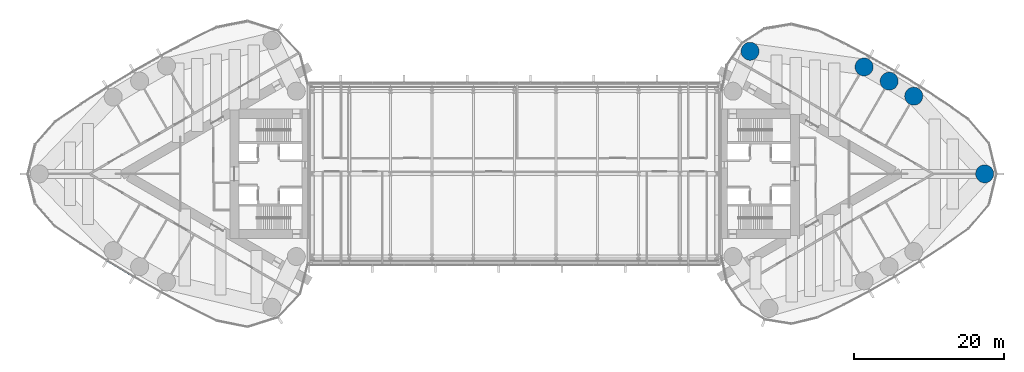
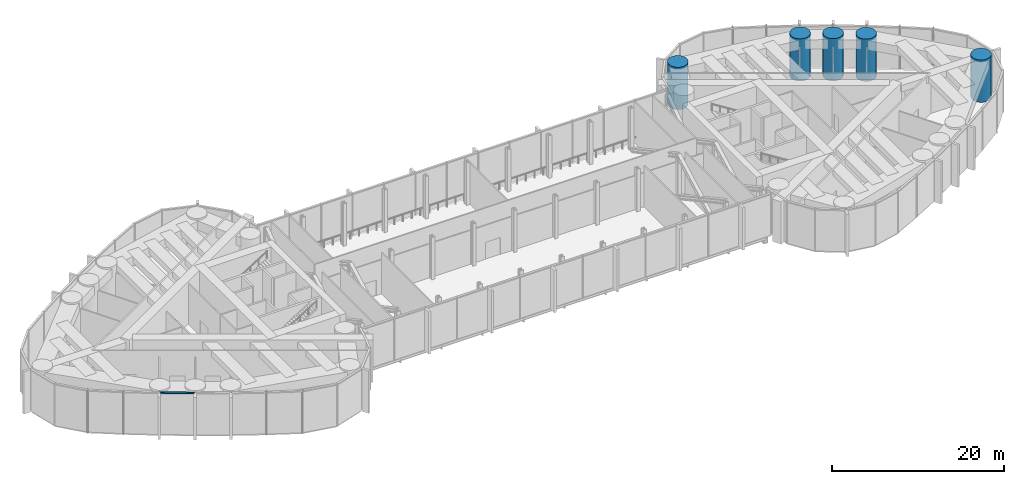
# One storey, part 2 of 21: 5 columns, 1 member, 1 element without a shape of its own.
"""IFC4 building model written with IfcOpenShell, lengths in metres."""

import ifcopenshell
import ifcopenshell.guid

model = None  # the IFC model being written
_history = None  # IfcOwnerHistory: only IFC2X3 demands one
_inside = {}  # id of a spatial element -> (the spatial element, [elements in it])
_under = {}  # id of a project, library or spatial element -> (it, [spatial elements below it])
_declared = {}  # id of a project -> (the project, [libraries it declares])
_typed = {}  # id of a type object -> (the type object, [elements of that type])
_made_of = {}  # id of a material, layer set ... -> (it, [elements and type objects made of it])


def new_model(schema):
    """Start an empty IFC model of exactly this schema.

    Asked for "IFC4X3", IfcOpenShell would pick the latest addendum, in which some entities
    have other attributes; the version numbers below select the first issue.
    IFC2X3 requires an IfcOwnerHistory on every rooted entity: one is made here for all.
    """
    global model, _history
    if schema == "IFC4X3":
        model = ifcopenshell.file(schema_version=(4, 3, 0, 0))
    else:
        model = ifcopenshell.file(schema=schema)
    _inside.clear()
    _under.clear()
    _declared.clear()
    _typed.clear()
    _made_of.clear()
    _history = None
    if model.schema == "IFC2X3":
        org = make("IfcOrganization", Name="unknown")
        user = make(
            "IfcPersonAndOrganization",
            ThePerson=make("IfcPerson", FamilyName="unknown"),
            TheOrganization=org,
        )
        app = make(
            "IfcApplication",
            ApplicationDeveloper=org,
            Version="unknown",
            ApplicationFullName="unknown",
            ApplicationIdentifier="unknown",
        )
        _history = make(
            "IfcOwnerHistory",
            OwningUser=user,
            OwningApplication=app,
            ChangeAction="ADDED",
            CreationDate=0,
        )
    return model


def make(cls, **values):
    """One entity of the class cls with the attributes given. An attribute that is None is left unset."""
    return model.create_entity(
        cls, **{name: value for name, value in values.items() if value is not None}
    )


def rooted(cls, **values):
    """An entity with a GlobalId (a new one), such as an element, a storey or a relation."""
    return make(cls, GlobalId=ifcopenshell.guid.new(), OwnerHistory=_history, **values)


def si_unit(unit_type, name, prefix=None):
    """IfcSIUnit, for example si_unit("LENGTHUNIT", "METRE", prefix="MILLI")."""
    return make("IfcSIUnit", UnitType=unit_type, Prefix=prefix, Name=name)


def assignment(units):
    """IfcUnitAssignment: the units of a project."""
    return None if units is None else make("IfcUnitAssignment", Units=units)


def point(xyz):
    """IfcCartesianPoint."""
    return None if xyz is None else make("IfcCartesianPoint", Coordinates=xyz)


def direction(xyz):
    """IfcDirection."""
    return None if xyz is None else make("IfcDirection", DirectionRatios=xyz)


def frame(location, z_axis=None, x_axis=None):
    """IfcAxis2Placement3D, a coordinate frame: its origin and axes. An axis left out is left unset."""
    return make(
        "IfcAxis2Placement3D",
        Location=point(location),
        Axis=direction(z_axis),
        RefDirection=direction(x_axis),
    )


def frame_2d(location, x_axis=None):
    """IfcAxis2Placement2D, a coordinate frame in the plane: its origin and x axis."""
    return make(
        "IfcAxis2Placement2D", Location=point(location), RefDirection=direction(x_axis)
    )


def origin():
    """The frame at (0, 0, 0) with its axes left unset."""
    return frame((0.0, 0.0, 0.0))


def origin_2d():
    """The frame at (0, 0) in the plane with its x axis left unset."""
    return frame_2d((0.0, 0.0))


def place(relative_to, where):
    """IfcLocalPlacement: puts the frame where relative to a parent placement (None: the world)."""
    return make(
        "IfcLocalPlacement", PlacementRelTo=relative_to, RelativePlacement=where
    )


def context(
    kind, dimensions, precision=None, world=None, true_north=None, identifier=None
):
    """IfcGeometricRepresentationContext, for example the 3D "Model" context."""
    return make(
        "IfcGeometricRepresentationContext",
        ContextIdentifier=identifier,
        ContextType=kind,
        CoordinateSpaceDimension=dimensions,
        Precision=precision,
        WorldCoordinateSystem=world,
        TrueNorth=true_north,
    )


def subcontext(parent, identifier, kind, view, scale=None):
    """IfcGeometricRepresentationSubContext, for example "Body" below "Model"."""
    return make(
        "IfcGeometricRepresentationSubContext",
        ContextIdentifier=identifier,
        ContextType=kind,
        ParentContext=parent,
        TargetScale=scale,
        TargetView=view,
    )


def project(units=None, contexts=None):
    """IfcProject with its units and contexts."""
    return rooted(
        "IfcProject",
        Name="project",
        RepresentationContexts=contexts,
        UnitsInContext=assignment(units),
    )


def spatial(cls, under=None, at=None, **own):
    """A site, building, storey or space (cls), placed at a placement, below another one or the project."""
    s = rooted(cls, ObjectPlacement=at, **own)
    if under is not None:
        _under.setdefault(under.id(), (under, []))[1].append(s)
    return s


def profile(cls, at=None, kind="AREA", **sizes):
    """A parametric profile (cls). Its sizes go by their IFC names, for example OverallWidth=200.0."""
    return make(cls, ProfileType=kind, Position=at, **sizes)


def rectangle(**sizes):
    """IfcRectangleProfileDef."""
    return profile("IfcRectangleProfileDef", **sizes)


def circle(**sizes):
    """IfcCircleProfileDef."""
    return profile("IfcCircleProfileDef", **sizes)


def extrude(swept, where, along, depth):
    """IfcExtrudedAreaSolid: the profile swept, set in the frame where, extruded along a direction by depth."""
    return make(
        "IfcExtrudedAreaSolid",
        SweptArea=swept,
        Position=where,
        ExtrudedDirection=direction(along),
        Depth=depth,
    )


def shape(context_of_items, identifier, shape_type, items):
    """IfcShapeRepresentation: the items that make up one representation, for example the "Body"."""
    return make(
        "IfcShapeRepresentation",
        ContextOfItems=context_of_items,
        RepresentationIdentifier=identifier,
        RepresentationType=shape_type,
        Items=items,
    )


def material(Name=None, Category=None):
    """IfcMaterial."""
    return make("IfcMaterial", Name=Name, Category=Category)


def material_profile(
    of_material, cross_section, Name=None, Category=None, Priority=None
):
    """IfcMaterialProfile: a cross section and its material."""
    return make(
        "IfcMaterialProfile",
        Name=Name,
        Material=of_material,
        Profile=cross_section,
        Priority=Priority,
        Category=Category,
    )


def profile_set(profiles, Name=None, composite=None):
    """IfcMaterialProfileSet."""
    return make(
        "IfcMaterialProfileSet",
        Name=Name,
        MaterialProfiles=profiles,
        CompositeProfile=composite,
    )


def made_of(thing, what):
    """Note that an element or type object is made of a material, layer set ...; save() writes the relation."""
    if what is not None:
        _made_of.setdefault(what.id(), (what, []))[1].append(thing)
    return thing


def type_object(cls, material=None, **own):
    """A type object (cls), such as IfcWallType, which elements share."""
    return made_of(rooted(cls, **own), material)


def element(
    cls,
    number,
    at=None,
    inside=None,
    cuts=None,
    type_object=None,
    material=None,
    context=None,
    identifier="Body",
    shape_type=None,
    held_by="IfcProductDefinitionShape",
    body=None,
    shapes=None,
    **own,
):
    """One element of the class cls, such as IfcWall. Its Tag is "e" and its number.

    at: its placement. inside: the storey or other place that contains it. cuts: it is an
    opening in that element (IfcRelVoidsElement). A single representation is given by context,
    identifier, shape_type and body (its items); several are given by shapes. held_by: the class
    of the entity that holds the representations. save() writes the other relations.
    """
    e = rooted(cls, Tag="e%d" % number, ObjectPlacement=at, **own)
    if body is not None:
        shapes = [shape(context, identifier, shape_type, body)]
    if shapes is not None:
        e.Representation = make(held_by, Representations=shapes)
    if inside is not None:
        _inside.setdefault(inside.id(), (inside, []))[1].append(e)
    if cuts is not None:
        rooted(
            "IfcRelVoidsElement", RelatingBuildingElement=cuts, RelatedOpeningElement=e
        )
    if type_object is not None:
        _typed.setdefault(type_object.id(), (type_object, []))[1].append(e)
    return made_of(e, material)


def aggregate(whole, parts):
    """IfcRelAggregates: a whole, such as a stair, and the parts it consists of."""
    return rooted("IfcRelAggregates", RelatingObject=whole, RelatedObjects=parts)


def save(model, path):
    """Write the relations noted so far, then the file.

    IfcRelAggregates (storeys below a building ...), IfcRelContainedInSpatialStructure (elements
    in a storey), IfcRelDefinesByType, IfcRelAssociatesMaterial and IfcRelDeclares: one each for
    every whole, place, type object, material and project.
    """
    for whole, parts in _under.values():
        aggregate(whole, parts)
    for where, things in _inside.values():
        rooted(
            "IfcRelContainedInSpatialStructure",
            RelatedElements=things,
            RelatingStructure=where,
        )
    for kind, things in _typed.values():
        rooted("IfcRelDefinesByType", RelatedObjects=things, RelatingType=kind)
    for what, things in _made_of.values():
        rooted("IfcRelAssociatesMaterial", RelatedObjects=things, RelatingMaterial=what)
    for by, libraries in _declared.values():
        rooted("IfcRelDeclares", RelatingContext=by, RelatedDefinitions=libraries)
    model.write(path)


model = new_model("IFC4")

# Units and contexts
model_context = context("Model", 3, precision=1e-05, world=origin(), true_north=direction((0.0, 1.0)))
body_context = subcontext(model_context, "Body", "Model", "MODEL_VIEW")
ifc_project = project(units=[si_unit("LENGTHUNIT", "METRE"), si_unit("AREAUNIT", "SQUARE_METRE"), si_unit("VOLUMEUNIT", "CUBIC_METRE"), si_unit("PLANEANGLEUNIT", "RADIAN"), si_unit("MASSUNIT", "GRAM", prefix="KILO")], contexts=[model_context])

# Site, building, storey
site_placement = place(None, origin())
site = spatial("IfcSite", under=ifc_project, at=site_placement, CompositionType="ELEMENT")
building_placement = place(site_placement, origin())
building = spatial("IfcBuilding", under=site, at=building_placement, Name="Lancet Gate Hotel", CompositionType="ELEMENT")
storey_placement = place(building_placement, frame((0.0, 0.0, 257.300048828125)))
storey = spatial("IfcBuildingStorey", under=building, at=storey_placement, Name="L68", CompositionType="ELEMENT", Elevation=257.300048828125)

# Columns
ifc_material_1 = material(Name="Concrete C50/60", Category="concrete")
ifc_material_profile_1 = material_profile(ifc_material_1, circle(Radius=1.199951171875, at=origin_2d()), Name="RC D2400")
ifc_profile_set_1 = profile_set([ifc_material_profile_1], Name="Concrete C50/60")
column_type = type_object("IfcColumnType", Name="Perimeter column RC D2400", PredefinedType="COLUMN", material=ifc_profile_set_1)
for number, where, z_axis, x_axis, name in (
    (1, (62.54150390625, 0.0, 0.0), (0.0, 0.0, 1.0), (1.0, 0.0, 0.0), "T2 column CA L68"),
    (2, (31.328369140625, 16.310791015625, 0.0), (0.0, 0.0, 1.0), (1.0, 0.0, 0.0), "T2 column CN L68"),
    (3, (53.107666015625, 10.333984375, 0.0), (0.0, 0.0, 1.0), (1.0, 0.0, 0.0), "T2 column ON1 L68"),
    (4, (49.833984375, 12.331787109375, 0.0), (0.0, 0.0, 1.0), (1.0, 0.0, 0.0), "T2 column ON2 L68"),
    (5, (46.499267578125, 14.2255859375, 0.0), (0.0, 0.0, 1.0), (1.0, 0.0, 0.0), "T2 column ON3 L68"),
):
    element("IfcColumn", number, at=place(storey_placement, frame(where, z_axis=z_axis, x_axis=x_axis)), inside=storey, type_object=column_type, Name=name, PredefinedType="COLUMN", context=body_context, shape_type="SweptSolid", body=[
        extrude(circle(Radius=1.199951171875, at=origin_2d()), origin(), (0.0, 0.0, 1.0), 6.0),
    ])

# Curtain wall, member
ifc_material_2 = material(Name="Aluminium curtain wall", Category="aluminium")
curtain_wall_type = type_object("IfcCurtainWallType", Name="Sky deck full-height glazing", PredefinedType="USERDEFINED", material=ifc_material_2)
curtain_wall_placement = place(storey_placement, origin())
curtain_wall = element("IfcCurtainWall", 6, at=curtain_wall_placement, inside=storey, type_object=curtain_wall_type, Name="T1 L68 curtain wall 1", ObjectType="UNITISED CURTAIN WALL", PredefinedType="USERDEFINED")
ifc_material_3 = material(Name="Aluminium transom", Category="aluminium")
ifc_material_profile_2 = material_profile(ifc_material_3, rectangle(XDim=0.25, YDim=0.14990234375, at=origin_2d()), Name="TRANSOM 250x150")
ifc_profile_set_2 = profile_set([ifc_material_profile_2], Name="Aluminium transom")
member_type = type_object("IfcMemberType", Name="Aluminium transom 250x150", PredefinedType="USERDEFINED", material=ifc_profile_set_2)
member_placement = place(storey_placement, frame((-54.197998046875, -11.55224609375, 5.925048828125), z_axis=(0.856362214892, -0.516375596737, 0.0), x_axis=(0.516375596737, 0.856362214892, 0.0)))
member = element("IfcMember", 7, at=member_placement, type_object=member_type, Name="T1 L68 curtain wall 1 transom 17", ObjectType="TRANSOM", PredefinedType="USERDEFINED", context=body_context, shape_type="SweptSolid", body=[
    extrude(rectangle(XDim=0.25, YDim=0.14990234375, at=origin_2d()), origin(), (0.0, 0.0, 1.0), 4.08447265625),
])
aggregate(curtain_wall, [member])

save(model, "model.ifc")
